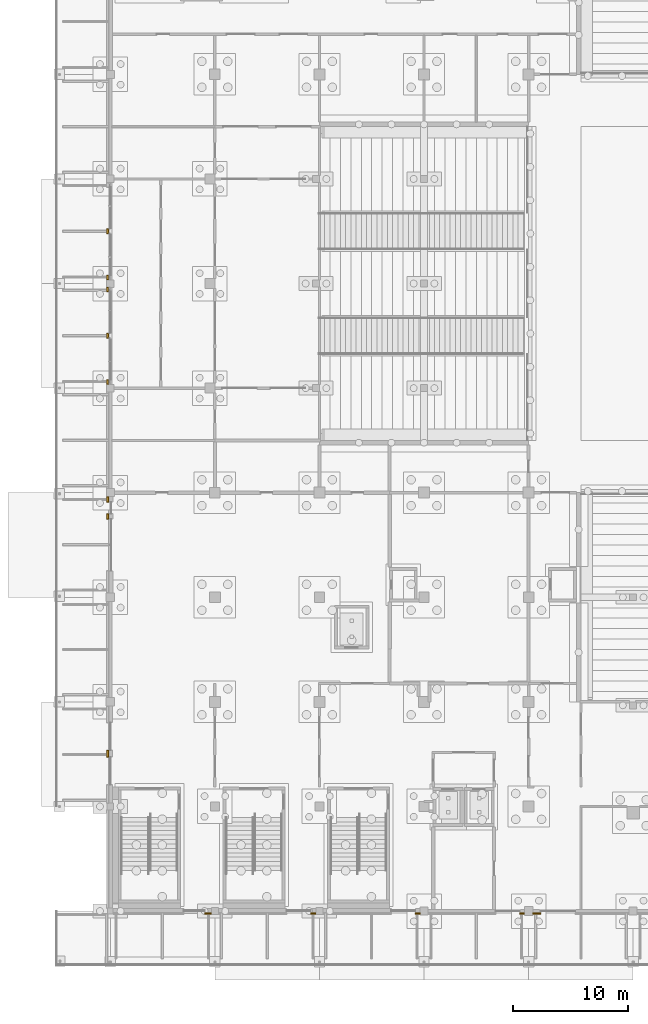
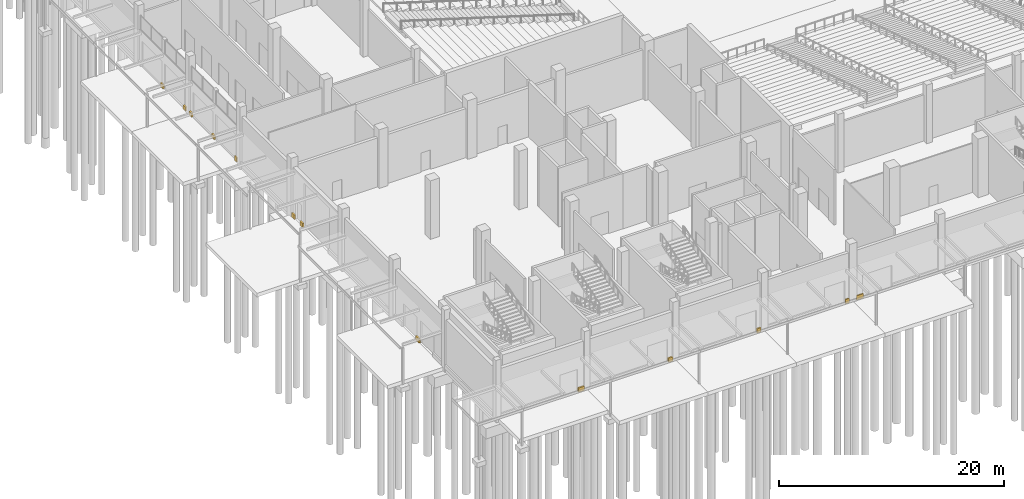
# One storey, part 122 of 129: 13 coverings.
"""IFC4 building model written with IfcOpenShell, lengths in metres."""

from ifc_helpers import new_model, si_unit, direction, frame, origin, origin_2d, place, context, subcontext, project, spatial, rectangle, extrude, material, layer, layer_set, type_object, element, save


model = new_model("IFC4")

# Units and contexts
model_context = context("Model", 3, precision=1e-05, world=origin(), true_north=direction((0.0, 1.0)))
body_context = subcontext(model_context, "Body", "Model", "MODEL_VIEW")
ifc_project = project(units=[si_unit("LENGTHUNIT", "METRE"), si_unit("AREAUNIT", "SQUARE_METRE"), si_unit("VOLUMEUNIT", "CUBIC_METRE"), si_unit("PLANEANGLEUNIT", "RADIAN"), si_unit("MASSUNIT", "GRAM", prefix="KILO")], contexts=[model_context])

# Site, building, storey
site_placement = place(None, origin())
site = spatial("IfcSite", under=ifc_project, at=site_placement, CompositionType="ELEMENT")
building_placement = place(site_placement, origin())
building = spatial("IfcBuilding", under=site, at=building_placement, Name="Shirokan Park Arena", CompositionType="ELEMENT")
storey_placement = place(building_placement, origin())
storey = spatial("IfcBuildingStorey", under=building, at=storey_placement, Name="L00", CompositionType="ELEMENT", Elevation=0.0)

# Coverings
ifc_material = material(Name="Natural stone", Category="masonry")
ifc_layer = layer(ifc_material, 0.14990234375)
ifc_layer_set = layer_set([ifc_layer], Name="Natural stone 150 mm")
covering_type = type_object("IfcCoveringType", Name="Stone plinth 150x450", PredefinedType="CLADDING", material=ifc_layer_set)
covering_1_placement = place(storey_placement, frame((8.5, -0.22509765625, 0.0), z_axis=(0.0, 0.0, 1.0), x_axis=(1.0, 0.0, 0.0)))
element("IfcCovering", 1, at=covering_1_placement, inside=storey, type_object=covering_type, Name="Stone plinth south bay 1", PredefinedType="CLADDING", context=body_context, shape_type="SweptSolid", body=[
    extrude(rectangle(XDim=0.60009765625, YDim=0.14990234375, at=origin_2d()), origin(), (0.0, 0.0, 1.0), 0.449951171875),
])
covering_2_placement = place(storey_placement, frame((17.675048828125, -0.22509765625, 0.0), z_axis=(0.0, 0.0, 1.0), x_axis=(1.0, 0.0, 0.0)))
element("IfcCovering", 2, at=covering_2_placement, inside=storey, type_object=covering_type, Name="Stone plinth south bay 2", PredefinedType="CLADDING", context=body_context, shape_type="SweptSolid", body=[
    extrude(rectangle(XDim=0.449951171875, YDim=0.14990234375, at=origin_2d()), origin(), (0.0, 0.0, 1.0), 0.449951171875),
])
covering_3_placement = place(storey_placement, frame((26.75, -0.22509765625, 0.0), z_axis=(0.0, 0.0, 1.0), x_axis=(1.0, 0.0, 0.0)))
element("IfcCovering", 3, at=covering_3_placement, inside=storey, type_object=covering_type, Name="Stone plinth south bay 3", PredefinedType="CLADDING", context=body_context, shape_type="SweptSolid", body=[
    extrude(rectangle(XDim=0.39990234375, YDim=0.14990234375, at=origin_2d()), origin(), (0.0, 0.0, 1.0), 0.449951171875),
])
covering_4_placement = place(storey_placement, frame((35.83740234375, -0.22509765625, 0.0), z_axis=(0.0, 0.0, 1.0), x_axis=(1.0, 0.0, 0.0)))
element("IfcCovering", 4, at=covering_4_placement, inside=storey, type_object=covering_type, Name="Stone plinth south bay 4", PredefinedType="CLADDING", context=body_context, shape_type="SweptSolid", body=[
    extrude(rectangle(XDim=0.375, YDim=0.14990234375, at=origin_2d()), origin(), (0.0, 0.0, 1.0), 0.449951171875),
])
covering_5_placement = place(storey_placement, frame((37.125, -0.22509765625, 0.0), z_axis=(0.0, 0.0, 1.0), x_axis=(1.0, 0.0, 0.0)))
element("IfcCovering", 5, at=covering_5_placement, inside=storey, type_object=covering_type, Name="Stone plinth south bay 5", PredefinedType="CLADDING", context=body_context, shape_type="SweptSolid", body=[
    extrude(rectangle(XDim=0.699951171875, YDim=0.14990234375, at=origin_2d()), origin(), (0.0, 0.0, 1.0), 0.449951171875),
])
covering_6_placement = place(storey_placement, frame((-0.22509765625, 59.14990234375, 0.0), z_axis=(0.0, 0.0, 1.0), x_axis=(0.0, -1.0, 0.0)))
element("IfcCovering", 6, at=covering_6_placement, inside=storey, type_object=covering_type, Name="Stone plinth west bay 6", PredefinedType="CLADDING", context=body_context, shape_type="SweptSolid", body=[
    extrude(rectangle(XDim=0.429931640625, YDim=0.14990234375, at=origin_2d()), origin(), (0.0, 0.0, 1.0), 0.449951171875),
])
for number, where, z_axis, x_axis, name in (
    (7, (-0.22509765625, 55.1298828125, 0.0), (0.0, 0.0, 1.0), (0.0, -1.0, 0.0), "Stone plinth west bay 6"),
    (8, (-0.22509765625, 54.070068359375, 0.0), (0.0, 0.0, 1.0), (0.0, -1.0, 0.0), "Stone plinth west bay 7"),
):
    element("IfcCovering", number, at=place(storey_placement, frame(where, z_axis=z_axis, x_axis=x_axis)), inside=storey, type_object=covering_type, Name=name, PredefinedType="CLADDING", context=body_context, shape_type="SweptSolid", body=[
        extrude(rectangle(XDim=0.409912109375, YDim=0.14990234375, at=origin_2d()), origin(), (0.0, 0.0, 1.0), 0.449951171875),
    ])
covering_7_placement = place(storey_placement, frame((-0.22509765625, 50.050048828125, 0.0), z_axis=(0.0, 0.0, 1.0), x_axis=(0.0, -1.0, 0.0)))
element("IfcCovering", 9, at=covering_7_placement, inside=storey, type_object=covering_type, Name="Stone plinth west bay 7", PredefinedType="CLADDING", context=body_context, shape_type="SweptSolid", body=[
    extrude(rectangle(XDim=0.429931640625, YDim=0.14990234375, at=origin_2d()), origin(), (0.0, 0.0, 1.0), 0.449951171875),
])
covering_8_placement = place(storey_placement, frame((-0.22509765625, 46.030029296875, 0.0), z_axis=(0.0, 0.0, 1.0), x_axis=(0.0, -1.0, 0.0)))
element("IfcCovering", 10, at=covering_8_placement, inside=storey, type_object=covering_type, Name="Stone plinth west bay 7", PredefinedType="CLADDING", context=body_context, shape_type="SweptSolid", body=[
    extrude(rectangle(XDim=0.409912109375, YDim=0.14990234375, at=origin_2d()), origin(), (0.0, 0.0, 1.0), 0.449951171875),
])
for number, where, z_axis, x_axis, name in (
    (11, (-0.22509765625, 35.8125, 0.0), (0.0, 0.0, 1.0), (0.0, -1.0, 0.0), "Stone plinth west bay 9"),
    (12, (-0.22509765625, 34.33740234375, 0.0), (0.0, 0.0, 1.0), (0.0, -1.0, 0.0), "Stone plinth west bay 9"),
):
    element("IfcCovering", number, at=place(storey_placement, frame(where, z_axis=z_axis, x_axis=x_axis)), inside=storey, type_object=covering_type, Name=name, PredefinedType="CLADDING", context=body_context, shape_type="SweptSolid", body=[
        extrude(rectangle(XDim=0.47509765625, YDim=0.14990234375, at=origin_2d()), origin(), (0.0, 0.0, 1.0), 0.449951171875),
    ])
covering_9_placement = place(storey_placement, frame((-0.22509765625, 13.699951171875, 0.0), z_axis=(0.0, 0.0, 1.0), x_axis=(0.0, -1.0, 0.0)))
element("IfcCovering", 13, at=covering_9_placement, inside=storey, type_object=covering_type, Name="Stone plinth west bay 11", PredefinedType="CLADDING", context=body_context, shape_type="SweptSolid", body=[
    extrude(rectangle(XDim=0.60009765625, YDim=0.14990234375, at=origin_2d()), origin(), (0.0, 0.0, 1.0), 0.449951171875),
])

save(model, "model.ifc")
